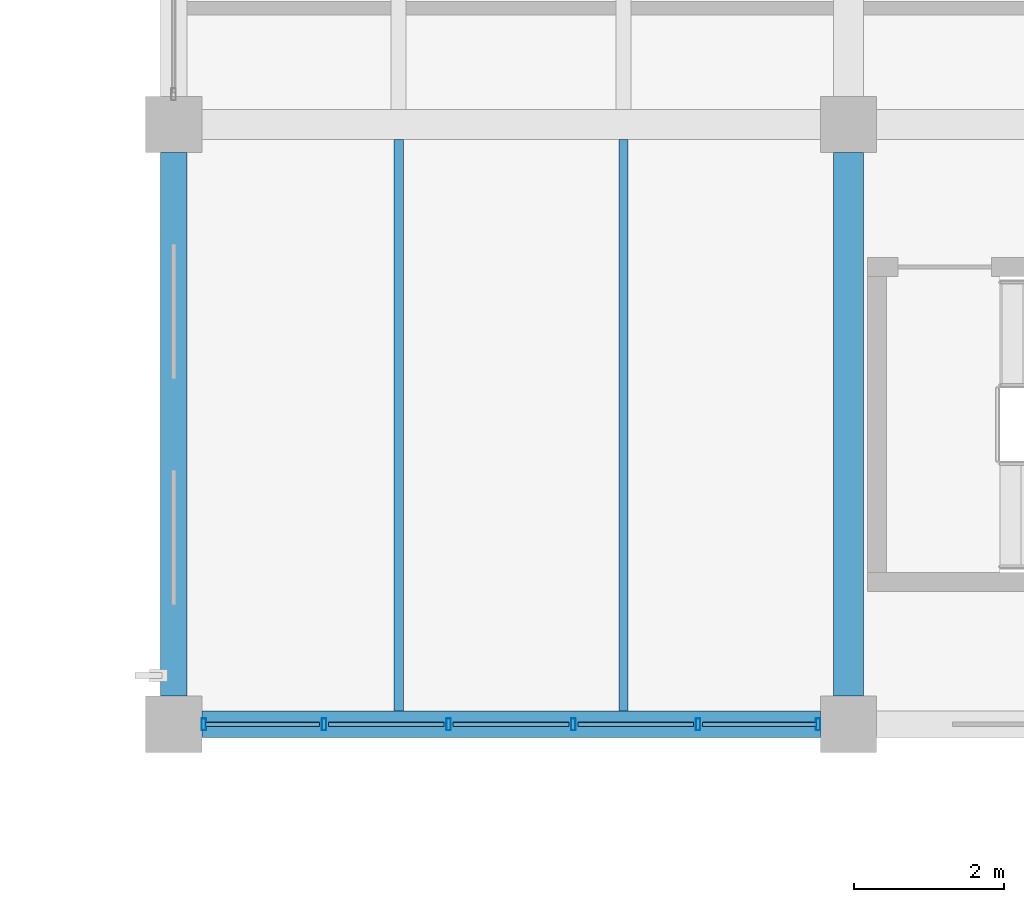
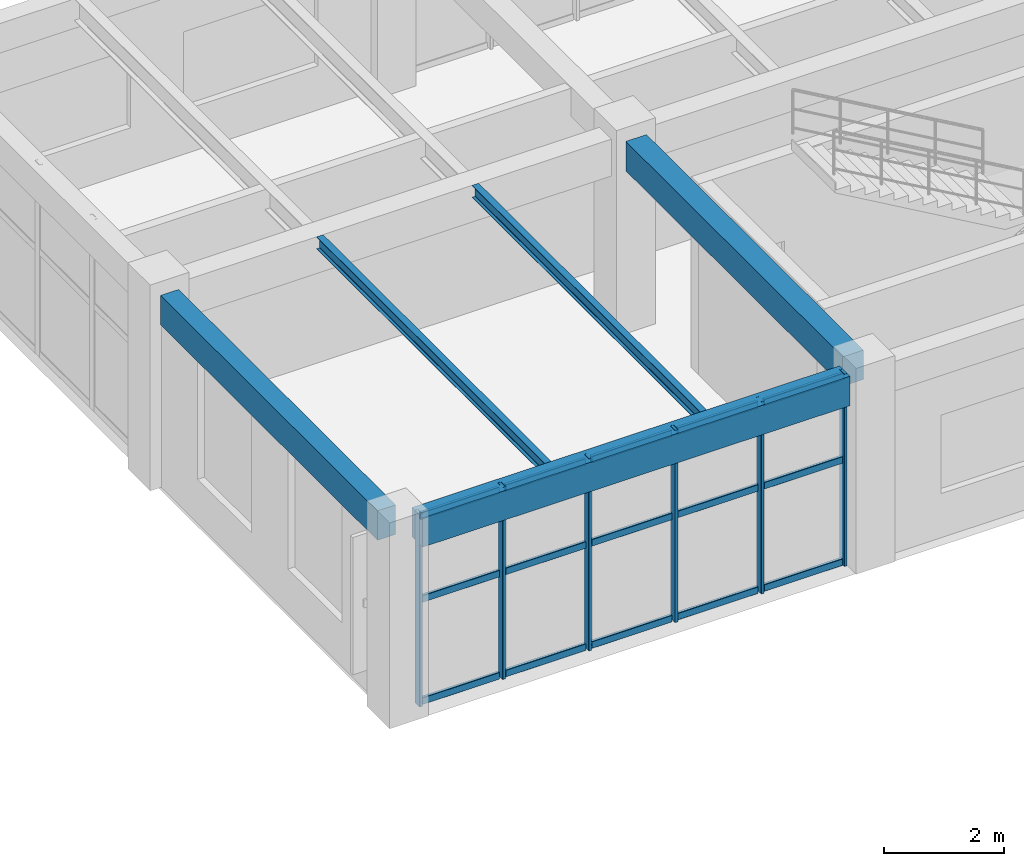
# One storey, part 41 of 148: 21 members, 5 beams, 1 element without a shape of its own.
"""IFC4 building model written with IfcOpenShell, lengths in metres."""

from ifc_helpers import new_model, si_unit, derived_unit, direction, frame, origin, origin_2d, place, context, subcontext, project, spatial, rectangle, hollow_rectangle, i_section, extrude, material, material_profile, profile_set, type_object, element, aggregate, save


model = new_model("IFC4")

# Units and contexts
model_context = context("Model", 3, precision=1e-05, world=origin(), true_north=direction((0.0, 1.0)))
body_context = subcontext(model_context, "Body", "Model", "MODEL_VIEW")
ifc_project = project(units=[si_unit("LENGTHUNIT", "METRE"), si_unit("AREAUNIT", "SQUARE_METRE"), si_unit("VOLUMEUNIT", "CUBIC_METRE"), si_unit("PLANEANGLEUNIT", "RADIAN"), si_unit("MASSUNIT", "GRAM", prefix="KILO"), derived_unit("THERMALTRANSMITTANCEUNIT", [(si_unit("MASSUNIT", "GRAM", prefix="KILO"), 1), (si_unit("TIMEUNIT", "SECOND"), -3), (si_unit("THERMODYNAMICTEMPERATUREUNIT", "KELVIN"), -1)])], contexts=[model_context])

# Site, building, storey
site_placement = place(None, origin())
site = spatial("IfcSite", under=ifc_project, at=site_placement, CompositionType="ELEMENT")
building_placement = place(site_placement, origin())
building = spatial("IfcBuilding", under=site, at=building_placement, Name="Zhenchuan Archway Interchange", CompositionType="ELEMENT")
storey_placement = place(building_placement, frame((0.0, 0.0, 10.199951171875)))
storey = spatial("IfcBuildingStorey", under=building, at=storey_placement, Name="L02", CompositionType="ELEMENT", Elevation=10.199951171875)

# Beam
ifc_material_1 = material(Name="Concrete C40", Category="concrete")
ifc_material_profile_1 = material_profile(ifc_material_1, rectangle(XDim=0.39990234375, YDim=0.60009765625, at=origin_2d()), Name="RC 400x600")
ifc_profile_set_1 = profile_set([ifc_material_profile_1], Name="Concrete C40")
beam_type_1 = type_object("IfcBeamType", Name="BM_RC_400x600", PredefinedType="BEAM", material=ifc_profile_set_1)
beam_1_placement = place(storey_placement, frame((117.0, 8.375, 3.6201171875), z_axis=(0.0, 1.0, 0.0), x_axis=(-1.0, 0.0, 0.0)))
element("IfcBeam", 1, at=beam_1_placement, inside=storey, type_object=beam_type_1, Name="Beam 14:B-C (L02)", PredefinedType="BEAM", context=body_context, shape_type="SweptSolid", body=[
    extrude(rectangle(XDim=0.39990234375, YDim=0.60009765625, at=origin_2d()), origin(), (0.0, 0.0, 1.0), 7.25),
])

# Curtain wall, members
ifc_material_2 = material(Name="Anodised Aluminium", Category="aluminium")
curtain_wall_type = type_object("IfcCurtainWallType", Name="CW_UNIT_4", PredefinedType="NOTDEFINED", material=ifc_material_2)
curtain_wall_placement = place(storey_placement, origin())
curtain_wall = element("IfcCurtainWall", 2, at=curtain_wall_placement, inside=storey, type_object=curtain_wall_type, Name="Unitised curtain wall CW:L02:159", PredefinedType="NOTDEFINED")
ifc_material_profile_2 = material_profile(ifc_material_2, hollow_rectangle(XDim=0.06005859375, YDim=0.159912109375, WallThickness=0.00390625, InnerFilletRadius=0.00390625, OuterFilletRadius=0.008056640625, at=origin_2d()), Name="ALU 160x60x4")
ifc_profile_set_2 = profile_set([ifc_material_profile_2], Name="Anodised Aluminium")
member_type_1 = type_object("IfcMemberType", Name="CW_MUL_150", PredefinedType="MULLION", material=ifc_profile_set_2)
member_1_placement = place(storey_placement, frame((116.596923828125, 8.0, 0.0), z_axis=(0.0, 0.0, 1.0), x_axis=(1.0, 0.0, 0.0)))
member_1 = element("IfcMember", 3, at=member_1_placement, type_object=member_type_1, Name="CW:L02:159 mullion 0", PredefinedType="MULLION", context=body_context, shape_type="SweptSolid", body=[
    extrude(hollow_rectangle(XDim=0.06005859375, YDim=0.159912109375, WallThickness=0.00390625, InnerFilletRadius=0.00390625, OuterFilletRadius=0.008056640625, at=origin_2d()), origin(), (0.0, 0.0, 1.0), 3.920166015625),
])
member_2_placement = place(storey_placement, frame((114.994140625, 8.0, 0.0), z_axis=(0.0, 0.0, 1.0), x_axis=(1.0, 0.0, 0.0)))
member_2 = element("IfcMember", 4, at=member_2_placement, type_object=member_type_1, Name="CW:L02:159 mullion 1", PredefinedType="MULLION", context=body_context, shape_type="SweptSolid", body=[
    extrude(hollow_rectangle(XDim=0.06005859375, YDim=0.159912109375, WallThickness=0.00390625, InnerFilletRadius=0.00390625, OuterFilletRadius=0.008056640625, at=origin_2d()), origin(), (0.0, 0.0, 1.0), 3.920166015625),
])
member_3_placement = place(storey_placement, frame((113.331298828125, 8.0, 0.0), z_axis=(0.0, 0.0, 1.0), x_axis=(1.0, 0.0, 0.0)))
member_3 = element("IfcMember", 5, at=member_3_placement, type_object=member_type_1, Name="CW:L02:159 mullion 2", PredefinedType="MULLION", context=body_context, shape_type="SweptSolid", body=[
    extrude(hollow_rectangle(XDim=0.06005859375, YDim=0.159912109375, WallThickness=0.00390625, InnerFilletRadius=0.00390625, OuterFilletRadius=0.008056640625, at=origin_2d()), origin(), (0.0, 0.0, 1.0), 3.920166015625),
])
member_4_placement = place(storey_placement, frame((111.668701171875, 8.0, 0.0), z_axis=(0.0, 0.0, 1.0), x_axis=(1.0, 0.0, 0.0)))
member_4 = element("IfcMember", 6, at=member_4_placement, type_object=member_type_1, Name="CW:L02:159 mullion 3", PredefinedType="MULLION", context=body_context, shape_type="SweptSolid", body=[
    extrude(hollow_rectangle(XDim=0.06005859375, YDim=0.159912109375, WallThickness=0.00390625, InnerFilletRadius=0.00390625, OuterFilletRadius=0.008056640625, at=origin_2d()), origin(), (0.0, 0.0, 1.0), 3.920166015625),
])
member_5_placement = place(storey_placement, frame((110.005859375, 8.0, 0.0), z_axis=(0.0, 0.0, 1.0), x_axis=(1.0, 0.0, 0.0)))
member_5 = element("IfcMember", 7, at=member_5_placement, type_object=member_type_1, Name="CW:L02:159 mullion 4", PredefinedType="MULLION", context=body_context, shape_type="SweptSolid", body=[
    extrude(hollow_rectangle(XDim=0.06005859375, YDim=0.159912109375, WallThickness=0.00390625, InnerFilletRadius=0.00390625, OuterFilletRadius=0.008056640625, at=origin_2d()), origin(), (0.0, 0.0, 1.0), 3.920166015625),
])
member_6_placement = place(storey_placement, frame((108.403076171875, 8.0, 0.0), z_axis=(0.0, 0.0, 1.0), x_axis=(1.0, 0.0, 0.0)))
member_6 = element("IfcMember", 8, at=member_6_placement, type_object=member_type_1, Name="CW:L02:159 mullion 5", PredefinedType="MULLION", context=body_context, shape_type="SweptSolid", body=[
    extrude(hollow_rectangle(XDim=0.06005859375, YDim=0.159912109375, WallThickness=0.00390625, InnerFilletRadius=0.00390625, OuterFilletRadius=0.008056640625, at=origin_2d()), origin(), (0.0, 0.0, 1.0), 3.920166015625),
])
ifc_material_profile_3 = material_profile(ifc_material_2, hollow_rectangle(XDim=0.06005859375, YDim=0.139892578125, WallThickness=0.00341796875, InnerFilletRadius=0.00341796875, OuterFilletRadius=0.007080078125, at=origin_2d()), Name="ALU 140x60x3.5")
ifc_profile_set_3 = profile_set([ifc_material_profile_3], Name="Anodised Aluminium")
member_type_2 = type_object("IfcMemberType", Name="CW_TRN_140", PredefinedType="USERDEFINED", material=ifc_profile_set_3)
member_7_placement = place(storey_placement, frame((116.576904296875, 8.0, 0.06005859375), z_axis=(-1.0, 0.0, 0.0), x_axis=(0.0, -1.0, 0.0)))
member_7 = element("IfcMember", 9, at=member_7_placement, type_object=member_type_2, Name="CW:L02:159 transom 0-1", ObjectType="TRANSOM", PredefinedType="USERDEFINED", context=body_context, shape_type="SweptSolid", body=[
    extrude(hollow_rectangle(XDim=0.06005859375, YDim=0.139892578125, WallThickness=0.00341796875, InnerFilletRadius=0.00341796875, OuterFilletRadius=0.007080078125, at=origin_2d()), origin(), (0.0, 0.0, 1.0), 1.522705078125),
])
member_8_placement = place(storey_placement, frame((116.576904296875, 8.0, 2.14501953125), z_axis=(-1.0, 0.0, 0.0), x_axis=(0.0, -1.0, 0.0)))
member_8 = element("IfcMember", 10, at=member_8_placement, type_object=member_type_2, Name="CW:L02:159 transom 0-2", ObjectType="TRANSOM", PredefinedType="USERDEFINED", context=body_context, shape_type="SweptSolid", body=[
    extrude(hollow_rectangle(XDim=0.06005859375, YDim=0.139892578125, WallThickness=0.00341796875, InnerFilletRadius=0.00341796875, OuterFilletRadius=0.007080078125, at=origin_2d()), origin(), (0.0, 0.0, 1.0), 1.522705078125),
])
member_9_placement = place(storey_placement, frame((116.576904296875, 8.0, 3.840087890625), z_axis=(-1.0, 0.0, 0.0), x_axis=(0.0, -1.0, 0.0)))
member_9 = element("IfcMember", 11, at=member_9_placement, type_object=member_type_2, Name="CW:L02:159 transom 0-3", ObjectType="TRANSOM", PredefinedType="USERDEFINED", context=body_context, shape_type="SweptSolid", body=[
    extrude(hollow_rectangle(XDim=0.06005859375, YDim=0.139892578125, WallThickness=0.00341796875, InnerFilletRadius=0.00341796875, OuterFilletRadius=0.007080078125, at=origin_2d()), origin(), (0.0, 0.0, 1.0), 1.522705078125),
])
member_10_placement = place(storey_placement, frame((114.93408203125, 8.0, 0.06005859375), z_axis=(-1.0, 0.0, 0.0), x_axis=(0.0, -1.0, 0.0)))
member_10 = element("IfcMember", 12, at=member_10_placement, type_object=member_type_2, Name="CW:L02:159 transom 1-1", ObjectType="TRANSOM", PredefinedType="USERDEFINED", context=body_context, shape_type="SweptSolid", body=[
    extrude(hollow_rectangle(XDim=0.06005859375, YDim=0.139892578125, WallThickness=0.00341796875, InnerFilletRadius=0.00341796875, OuterFilletRadius=0.007080078125, at=origin_2d()), origin(), (0.0, 0.0, 1.0), 1.542724609375),
])
member_11_placement = place(storey_placement, frame((114.93408203125, 8.0, 2.14501953125), z_axis=(-1.0, 0.0, 0.0), x_axis=(0.0, -1.0, 0.0)))
member_11 = element("IfcMember", 13, at=member_11_placement, type_object=member_type_2, Name="CW:L02:159 transom 1-2", ObjectType="TRANSOM", PredefinedType="USERDEFINED", context=body_context, shape_type="SweptSolid", body=[
    extrude(hollow_rectangle(XDim=0.06005859375, YDim=0.139892578125, WallThickness=0.00341796875, InnerFilletRadius=0.00341796875, OuterFilletRadius=0.007080078125, at=origin_2d()), origin(), (0.0, 0.0, 1.0), 1.542724609375),
])
member_12_placement = place(storey_placement, frame((114.93408203125, 8.0, 3.840087890625), z_axis=(-1.0, 0.0, 0.0), x_axis=(0.0, -1.0, 0.0)))
member_12 = element("IfcMember", 14, at=member_12_placement, type_object=member_type_2, Name="CW:L02:159 transom 1-3", ObjectType="TRANSOM", PredefinedType="USERDEFINED", context=body_context, shape_type="SweptSolid", body=[
    extrude(hollow_rectangle(XDim=0.06005859375, YDim=0.139892578125, WallThickness=0.00341796875, InnerFilletRadius=0.00341796875, OuterFilletRadius=0.007080078125, at=origin_2d()), origin(), (0.0, 0.0, 1.0), 1.542724609375),
])
member_13_placement = place(storey_placement, frame((113.271484375, 8.0, 0.06005859375), z_axis=(-1.0, 0.0, 0.0), x_axis=(0.0, -1.0, 0.0)))
member_13 = element("IfcMember", 15, at=member_13_placement, type_object=member_type_2, Name="CW:L02:159 transom 2-1", ObjectType="TRANSOM", PredefinedType="USERDEFINED", context=body_context, shape_type="SweptSolid", body=[
    extrude(hollow_rectangle(XDim=0.06005859375, YDim=0.139892578125, WallThickness=0.00341796875, InnerFilletRadius=0.00341796875, OuterFilletRadius=0.007080078125, at=origin_2d()), origin(), (0.0, 0.0, 1.0), 1.54296875),
])
member_14_placement = place(storey_placement, frame((113.271484375, 8.0, 2.14501953125), z_axis=(-1.0, 0.0, 0.0), x_axis=(0.0, -1.0, 0.0)))
member_14 = element("IfcMember", 16, at=member_14_placement, type_object=member_type_2, Name="CW:L02:159 transom 2-2", ObjectType="TRANSOM", PredefinedType="USERDEFINED", context=body_context, shape_type="SweptSolid", body=[
    extrude(hollow_rectangle(XDim=0.06005859375, YDim=0.139892578125, WallThickness=0.00341796875, InnerFilletRadius=0.00341796875, OuterFilletRadius=0.007080078125, at=origin_2d()), origin(), (0.0, 0.0, 1.0), 1.54296875),
])
member_15_placement = place(storey_placement, frame((113.271484375, 8.0, 3.840087890625), z_axis=(-1.0, 0.0, 0.0), x_axis=(0.0, -1.0, 0.0)))
member_15 = element("IfcMember", 17, at=member_15_placement, type_object=member_type_2, Name="CW:L02:159 transom 2-3", ObjectType="TRANSOM", PredefinedType="USERDEFINED", context=body_context, shape_type="SweptSolid", body=[
    extrude(hollow_rectangle(XDim=0.06005859375, YDim=0.139892578125, WallThickness=0.00341796875, InnerFilletRadius=0.00341796875, OuterFilletRadius=0.007080078125, at=origin_2d()), origin(), (0.0, 0.0, 1.0), 1.54296875),
])
member_16_placement = place(storey_placement, frame((111.608642578125, 8.0, 0.06005859375), z_axis=(-1.0, 0.0, 0.0), x_axis=(0.0, -1.0, 0.0)))
member_16 = element("IfcMember", 18, at=member_16_placement, type_object=member_type_2, Name="CW:L02:159 transom 3-1", ObjectType="TRANSOM", PredefinedType="USERDEFINED", context=body_context, shape_type="SweptSolid", body=[
    extrude(hollow_rectangle(XDim=0.06005859375, YDim=0.139892578125, WallThickness=0.00341796875, InnerFilletRadius=0.00341796875, OuterFilletRadius=0.007080078125, at=origin_2d()), origin(), (0.0, 0.0, 1.0), 1.542724609375),
])
member_17_placement = place(storey_placement, frame((111.608642578125, 8.0, 2.14501953125), z_axis=(-1.0, 0.0, 0.0), x_axis=(0.0, -1.0, 0.0)))
member_17 = element("IfcMember", 19, at=member_17_placement, type_object=member_type_2, Name="CW:L02:159 transom 3-2", ObjectType="TRANSOM", PredefinedType="USERDEFINED", context=body_context, shape_type="SweptSolid", body=[
    extrude(hollow_rectangle(XDim=0.06005859375, YDim=0.139892578125, WallThickness=0.00341796875, InnerFilletRadius=0.00341796875, OuterFilletRadius=0.007080078125, at=origin_2d()), origin(), (0.0, 0.0, 1.0), 1.542724609375),
])
member_18_placement = place(storey_placement, frame((111.608642578125, 8.0, 3.840087890625), z_axis=(-1.0, 0.0, 0.0), x_axis=(0.0, -1.0, 0.0)))
member_18 = element("IfcMember", 20, at=member_18_placement, type_object=member_type_2, Name="CW:L02:159 transom 3-3", ObjectType="TRANSOM", PredefinedType="USERDEFINED", context=body_context, shape_type="SweptSolid", body=[
    extrude(hollow_rectangle(XDim=0.06005859375, YDim=0.139892578125, WallThickness=0.00341796875, InnerFilletRadius=0.00341796875, OuterFilletRadius=0.007080078125, at=origin_2d()), origin(), (0.0, 0.0, 1.0), 1.542724609375),
])
member_19_placement = place(storey_placement, frame((109.94580078125, 8.0, 0.06005859375), z_axis=(-1.0, 0.0, 0.0), x_axis=(0.0, -1.0, 0.0)))
member_19 = element("IfcMember", 21, at=member_19_placement, type_object=member_type_2, Name="CW:L02:159 transom 4-1", ObjectType="TRANSOM", PredefinedType="USERDEFINED", context=body_context, shape_type="SweptSolid", body=[
    extrude(hollow_rectangle(XDim=0.06005859375, YDim=0.139892578125, WallThickness=0.00341796875, InnerFilletRadius=0.00341796875, OuterFilletRadius=0.007080078125, at=origin_2d()), origin(), (0.0, 0.0, 1.0), 1.522705078125),
])
member_20_placement = place(storey_placement, frame((109.94580078125, 8.0, 2.14501953125), z_axis=(-1.0, 0.0, 0.0), x_axis=(0.0, -1.0, 0.0)))
member_20 = element("IfcMember", 22, at=member_20_placement, type_object=member_type_2, Name="CW:L02:159 transom 4-2", ObjectType="TRANSOM", PredefinedType="USERDEFINED", context=body_context, shape_type="SweptSolid", body=[
    extrude(hollow_rectangle(XDim=0.06005859375, YDim=0.139892578125, WallThickness=0.00341796875, InnerFilletRadius=0.00341796875, OuterFilletRadius=0.007080078125, at=origin_2d()), origin(), (0.0, 0.0, 1.0), 1.522705078125),
])
member_21_placement = place(storey_placement, frame((109.94580078125, 8.0, 3.840087890625), z_axis=(-1.0, 0.0, 0.0), x_axis=(0.0, -1.0, 0.0)))
member_21 = element("IfcMember", 23, at=member_21_placement, type_object=member_type_2, Name="CW:L02:159 transom 4-3", ObjectType="TRANSOM", PredefinedType="USERDEFINED", context=body_context, shape_type="SweptSolid", body=[
    extrude(hollow_rectangle(XDim=0.06005859375, YDim=0.139892578125, WallThickness=0.00341796875, InnerFilletRadius=0.00341796875, OuterFilletRadius=0.007080078125, at=origin_2d()), origin(), (0.0, 0.0, 1.0), 1.522705078125),
])
aggregate(curtain_wall, [member_1, member_2, member_3, member_4, member_5, member_6, member_7, member_8, member_9, member_10, member_11, member_12, member_13, member_14, member_15, member_16, member_17, member_18, member_19, member_20, member_21])

# Beams
ifc_material_3 = material(Name="Steel Q355", Category="steel")
ifc_material_profile_4 = material_profile(ifc_material_3, i_section(OverallWidth=0.125, OverallDepth=0.25, WebThickness=0.006103515625, FlangeThickness=0.009033203125, FilletRadius=0.011962890625, at=origin_2d()), Name="HN 250x125")
ifc_profile_set_4 = profile_set([ifc_material_profile_4], Name="Steel Q355")
beam_type_2 = type_object("IfcBeamType", Name="JST_STL_HN250", PredefinedType="JOIST", material=ifc_profile_set_4)
for number, where, z_axis, x_axis, name in (
    (24, (111.0, 8.175048828125, 3.795166015625), (0.0, 1.0, 0.0), (-1.0, 0.0, 0.0), "Secondary joist 13-14/B-C #1 (L02)"),
    (25, (114.0, 8.175048828125, 3.795166015625), (0.0, 1.0, 0.0), (-1.0, 0.0, 0.0), "Secondary joist 13-14/B-C #2 (L02)"),
):
    element("IfcBeam", number, at=place(storey_placement, frame(where, z_axis=z_axis, x_axis=x_axis)), inside=storey, type_object=beam_type_2, Name=name, PredefinedType="JOIST", context=body_context, shape_type="SweptSolid", body=[
        extrude(i_section(OverallWidth=0.125, OverallDepth=0.25, WebThickness=0.006103515625, FlangeThickness=0.009033203125, FilletRadius=0.011962890625, at=origin_2d()), origin(), (0.0, 0.0, 1.0), 7.625),
    ])
ifc_material_profile_5 = material_profile(ifc_material_1, rectangle(XDim=0.35009765625, YDim=0.60009765625, at=origin_2d()), Name="RC 350x600")
ifc_profile_set_5 = profile_set([ifc_material_profile_5], Name="Concrete C40")
beam_type_3 = type_object("IfcBeamType", Name="SP_RC_350x600", PredefinedType="SPANDREL", material=ifc_profile_set_5)
beam_2_placement = place(storey_placement, frame((108.375, 8.0, 3.6201171875), z_axis=(1.0, 0.0, 0.0), x_axis=(0.0, 1.0, 0.0)))
element("IfcBeam", 26, at=beam_2_placement, inside=storey, type_object=beam_type_3, Name="Beam B:13-14 (L02)", PredefinedType="SPANDREL", context=body_context, shape_type="SweptSolid", body=[
    extrude(rectangle(XDim=0.35009765625, YDim=0.60009765625, at=origin_2d()), origin(), (0.0, 0.0, 1.0), 8.25),
])
beam_3_placement = place(storey_placement, frame((108.0, 8.375, 3.6201171875), z_axis=(0.0, 1.0, 0.0), x_axis=(-1.0, 0.0, 0.0)))
element("IfcBeam", 27, at=beam_3_placement, inside=storey, type_object=beam_type_3, Name="Beam 13:B-C (L02)", PredefinedType="SPANDREL", context=body_context, shape_type="SweptSolid", body=[
    extrude(rectangle(XDim=0.35009765625, YDim=0.60009765625, at=origin_2d()), origin(), (0.0, 0.0, 1.0), 7.25),
])

save(model, "model.ifc")
